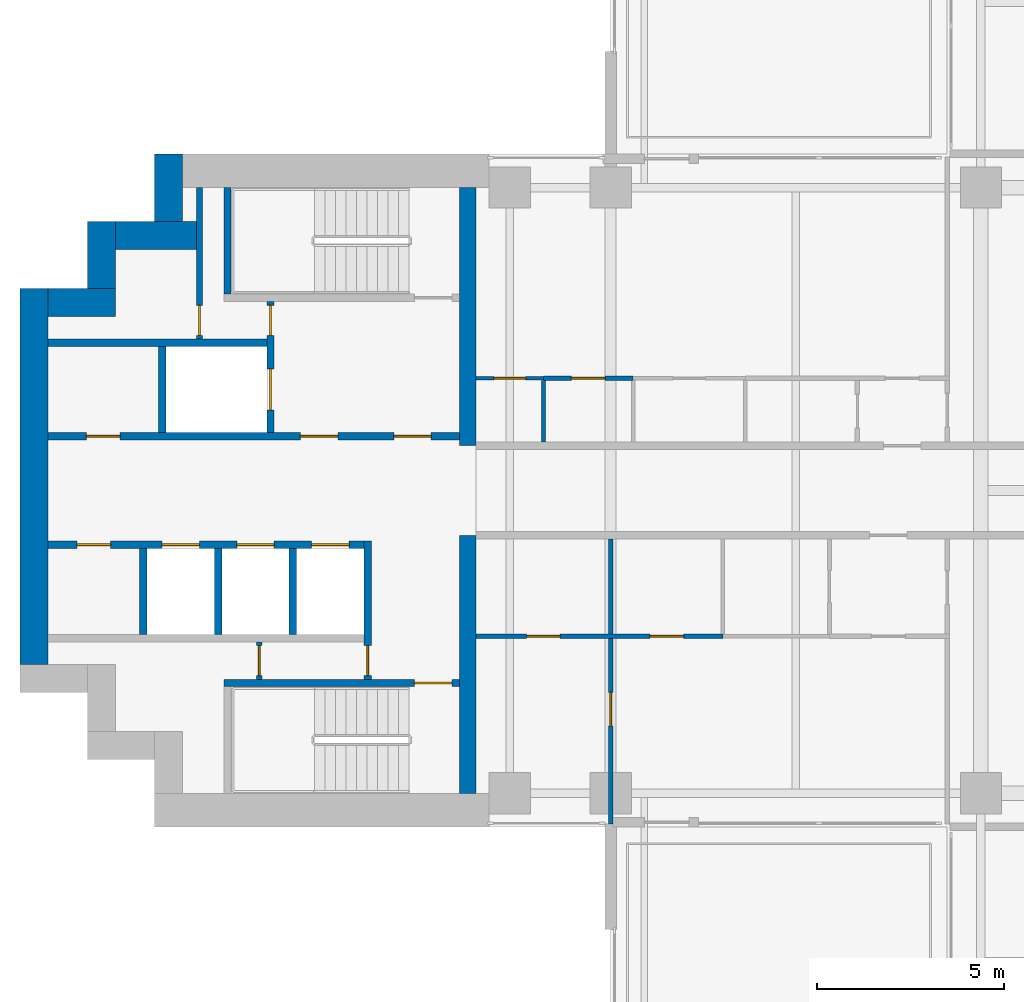
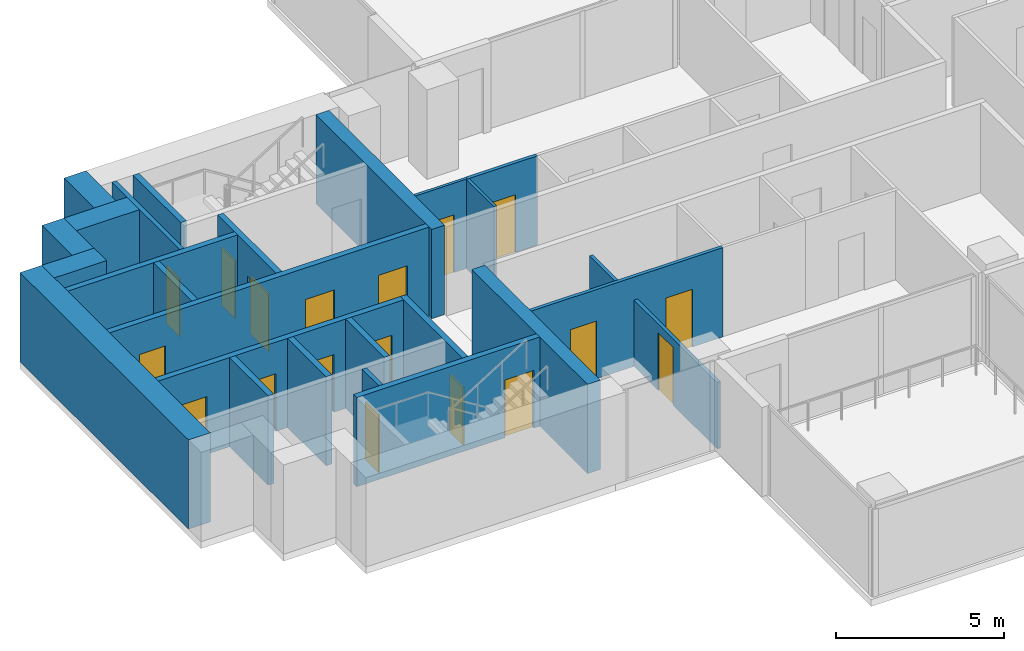
# One storey, part 9 of 18: 25 walls, 18 doors, 18 openings.
"""IFC4 building model written with IfcOpenShell, lengths in metres."""

from ifc_helpers import new_model, si_unit, direction, frame, frame_2d, origin, place, context, subcontext, project, spatial, rectangle, extrude, material, layer, layer_set, type_object, element, fill, save


model = new_model("IFC4")

# Units and contexts
model_context = context("Model", 3, precision=1e-05, world=origin(), true_north=direction((0.0, 1.0)))
body_context = subcontext(model_context, "Body", "Model", "MODEL_VIEW")
ifc_project = project(units=[si_unit("LENGTHUNIT", "METRE"), si_unit("AREAUNIT", "SQUARE_METRE"), si_unit("VOLUMEUNIT", "CUBIC_METRE"), si_unit("PLANEANGLEUNIT", "RADIAN"), si_unit("MASSUNIT", "GRAM", prefix="KILO")], contexts=[model_context])

# Site, building, storey
site_placement = place(None, origin())
site = spatial("IfcSite", under=ifc_project, at=site_placement, CompositionType="ELEMENT")
building_placement = place(site_placement, origin())
building = spatial("IfcBuilding", under=site, at=building_placement, Name="Perihelion Cross Residences", CompositionType="ELEMENT")
storey_placement = place(building_placement, frame((0.0, 0.0, 123.39990234375)))
storey = spatial("IfcBuildingStorey", under=building, at=storey_placement, Name="L29", CompositionType="ELEMENT", Elevation=123.39990234375)

# Walls
ifc_material_1 = material(Name="Concrete C60/75", Category="concrete")
ifc_layer_1 = layer(ifc_material_1, 0.449951171875)
ifc_layer_set_1 = layer_set([ifc_layer_1], Name="Core wall, inner 450")
wall_type_1 = type_object("IfcWallType", Name="Core wall, inner 450", PredefinedType="SHEAR", material=ifc_layer_set_1)
for number, where, z_axis, x_axis, name in (
    (1, (-21.824951171875, -8.10009765625, 0.0), (0.0, 0.0, 1.0), (0.0, 1.0, 0.0), "West core core wall, inner"),
    (2, (-21.824951171875, 1.199951171875, 0.0), (0.0, 0.0, 1.0), (0.0, 1.0, 0.0), "West core core wall, inner"),
):
    element("IfcWall", number, at=place(storey_placement, frame(where, z_axis=z_axis, x_axis=x_axis)), inside=storey, type_object=wall_type_1, Name=name, PredefinedType="SHEAR", context=body_context, shape_type="SweptSolid", body=[
        extrude(rectangle(XDim=6.900146484375, YDim=0.449951171875, at=frame_2d((3.4501953125, 0.0))), origin(), (0.0, 0.0, 1.0), 3.25),
    ])
ifc_material_2 = material(Name="Concrete C60/75", Category="concrete")
ifc_layer_2 = layer(ifc_material_2, 0.75)
ifc_layer_set_2 = layer_set([ifc_layer_2], Name="Core wall, outer 750")
wall_type_2 = type_object("IfcWallType", Name="Core wall, outer 750", PredefinedType="SHEAR", material=ifc_layer_set_2)
wall_1_placement = place(storey_placement, frame((-33.425048828125, -4.64990234375, 0.0), z_axis=(0.0, 0.0, 1.0), x_axis=(0.0, 1.0, 0.0)))
element("IfcWall", 3, at=wall_1_placement, inside=storey, type_object=wall_type_2, Name="West core core wall, outer", PredefinedType="SHEAR", context=body_context, shape_type="SweptSolid", body=[
    extrude(rectangle(XDim=10.0498046875, YDim=0.75, at=frame_2d((5.02490234375, 0.0))), origin(), (0.0, 0.0, 1.0), 3.25),
])
for number, where, z_axis, x_axis, name in (
    (4, (-33.050048828125, 5.02490234375, 0.0), (0.0, 0.0, 1.0), (1.0, 0.0, 0.0), "West core core wall, outer"),
    (5, (-31.625, 5.39990234375, 0.0), (0.0, 0.0, 1.0), (0.0, 1.0, 0.0), "West core core wall, outer"),
):
    element("IfcWall", number, at=place(storey_placement, frame(where, z_axis=z_axis, x_axis=x_axis)), inside=storey, type_object=wall_type_2, Name=name, PredefinedType="SHEAR", context=body_context, shape_type="SweptSolid", body=[
        extrude(rectangle(XDim=1.800048828125, YDim=0.75, at=frame_2d((0.89990234375, 0.0))), origin(), (0.0, 0.0, 1.0), 3.25),
    ])
wall_2_placement = place(storey_placement, frame((-31.25, 6.824951171875, 0.0), z_axis=(0.0, 0.0, 1.0), x_axis=(1.0, 0.0, 0.0)))
element("IfcWall", 6, at=wall_2_placement, inside=storey, type_object=wall_type_2, Name="West core core wall, outer", PredefinedType="SHEAR", context=body_context, shape_type="SweptSolid", body=[
    extrude(rectangle(XDim=2.175048828125, YDim=0.75, at=frame_2d((1.08740234375, 0.0))), origin(), (0.0, 0.0, 1.0), 3.25),
])
wall_3_placement = place(storey_placement, frame((-29.824951171875, 7.199951171875, 0.0), z_axis=(0.0, 0.0, 1.0), x_axis=(0.0, 1.0, 0.0)))
element("IfcWall", 7, at=wall_3_placement, inside=storey, type_object=wall_type_2, Name="West core core wall, outer", PredefinedType="SHEAR", context=body_context, shape_type="SweptSolid", body=[
    extrude(rectangle(XDim=1.800048828125, YDim=0.75, at=frame_2d((0.89990234375, 0.0))), origin(), (0.0, 0.0, 1.0), 3.25),
])

# Wall, opening, door
ifc_material_3 = material(Name="Concrete C50/60", Category="concrete")
ifc_layer_3 = layer(ifc_material_3, 0.199951171875)
ifc_layer_set_3 = layer_set([ifc_layer_3], Name="Lobby wall 200")
wall_type_3 = type_object("IfcWallType", Name="Lobby wall 200", PredefinedType="SOLIDWALL", material=ifc_layer_set_3)
wall_4_placement = place(storey_placement, frame((-24.5, -5.050048828125, 0.0), z_axis=(0.0, 0.0, 1.0), x_axis=(0.0, 1.0, 0.0)))
wall_4 = element("IfcWall", 8, at=wall_4_placement, inside=storey, type_object=wall_type_3, Name="West core lobby wall", PredefinedType="SOLIDWALL", context=body_context, shape_type="SweptSolid", body=[
    extrude(rectangle(XDim=3.699951171875, YDim=0.199951171875, at=frame_2d((1.85009765625, 0.0))), origin(), (0.0, 0.0, 1.0), 3.25),
])
opening_1_placement = place(wall_4_placement, frame((0.10009765625, 0.0, 0.0)))
opening_1 = element("IfcOpeningElement", 9, at=opening_1_placement, cuts=wall_4, Name="Opening L29.C22", PredefinedType="OPENING", context=body_context, shape_type="SweptSolid", body=[
    extrude(rectangle(XDim=0.800048828125, YDim=2.10009765625, at=frame_2d((0.39990234375, 1.050048828125))), frame((0.0, 0.10986328125, 0.0), z_axis=(0.0, -1.0, 0.0), x_axis=(1.0, 0.0, 0.0)), (0.0, 0.0, 1.0), 0.219970703125),
])
ifc_material_4 = material(Name="Steel, powder coated", Category="steel")
door_type_1 = type_object("IfcDoorType", Name="Riser door 800", OperationType="SINGLE_SWING_LEFT", PredefinedType="DOOR", material=ifc_material_4)
door_1_placement = place(opening_1_placement, origin())
door_1 = element("IfcDoor", 10, at=door_1_placement, inside=storey, type_object=door_type_1, Name="West core riser door", OperationType="SINGLE_SWING_LEFT", OverallHeight=2.10009765625, OverallWidth=0.800048828125, PredefinedType="DOOR", context=body_context, shape_type="SweptSolid", body=[
    extrude(rectangle(XDim=0.800048828125, YDim=2.10009765625, at=frame_2d((0.39990234375, 1.050048828125))), frame((0.0, 0.02490234375, 0.0), z_axis=(0.0, -1.0, 0.0), x_axis=(1.0, 0.0, 0.0)), (0.0, 0.0, 1.0), 0.050048828125),
])
fill(opening_1, door_1)

ifc_material_5 = material(Name="Plasterboard partition")
ifc_layer_4 = layer(ifc_material_5, 0.1201171875)
ifc_layer_set_4 = layer_set([ifc_layer_4], Name="Partition wall 120")
wall_type_4 = type_object("IfcWallType", Name="Partition wall 120", PredefinedType="PARTITIONING", material=ifc_layer_set_4)
wall_5_placement = place(storey_placement, frame((-19.800048828125, 3.0, 0.0), z_axis=(0.0, 0.0, 1.0), x_axis=(1.0, 0.0, 0.0)))
wall_5 = element("IfcWall", 11, at=wall_5_placement, inside=storey, type_object=wall_type_4, Name="Partition L29 W048", PredefinedType="PARTITIONING", context=body_context, shape_type="SweptSolid", body=[
    extrude(rectangle(XDim=2.400146484375, YDim=0.1201171875, at=frame_2d((1.2001953125, 0.0))), origin(), (0.0, 0.0, 1.0), 3.25),
])
opening_2_placement = place(wall_5_placement, frame((0.75, 0.0, 0.0)))
opening_2 = element("IfcOpeningElement", 12, at=opening_2_placement, cuts=wall_5, Name="Opening L29.A24", PredefinedType="OPENING", context=body_context, shape_type="SweptSolid", body=[
    extrude(rectangle(XDim=0.89990234375, YDim=2.10009765625, at=frame_2d((0.449951171875, 1.050048828125))), frame((0.0, 0.070068359375, 0.0), z_axis=(0.0, -1.0, 0.0), x_axis=(1.0, 0.0, 0.0)), (0.0, 0.0, 1.0), 0.14013671875),
])
ifc_material_6 = material(Name="Timber door leaf", Category="wood")
door_type_2 = type_object("IfcDoorType", Name="Interior room door 900 x 2100", OperationType="SINGLE_SWING_LEFT", PredefinedType="DOOR", material=ifc_material_6)
door_2_placement = place(opening_2_placement, origin())
door_2 = element("IfcDoor", 13, at=door_2_placement, inside=storey, type_object=door_type_2, Name="Door L29.A24", OperationType="SINGLE_SWING_LEFT", OverallHeight=2.10009765625, OverallWidth=0.89990234375, PredefinedType="DOOR", context=body_context, shape_type="SweptSolid", body=[
    extrude(rectangle(XDim=0.89990234375, YDim=2.10009765625, at=frame_2d((0.449951171875, 1.050048828125))), frame((0.0, 0.02490234375, 0.0), z_axis=(0.0, -1.0, 0.0), x_axis=(1.0, 0.0, 0.0)), (0.0, 0.0, 1.0), 0.050048828125),
])
fill(opening_2, door_2)

wall_6_placement = place(storey_placement, frame((-18.0, -8.919921875, 0.0), z_axis=(0.0, 0.0, 1.0), x_axis=(0.0, 1.0, 0.0)))
wall_6 = element("IfcWall", 14, at=wall_6_placement, inside=storey, type_object=wall_type_4, Name="Partition L29 W058", PredefinedType="PARTITIONING", context=body_context, shape_type="SweptSolid", body=[
    extrude(rectangle(XDim=7.619873046875, YDim=0.1201171875, at=frame_2d((3.81005859375, 0.0))), origin(), (0.0, 0.0, 1.0), 2.4140625),
])
opening_3_placement = place(wall_6_placement, frame((2.6201171875, 0.0, 0.0)))
opening_3 = element("IfcOpeningElement", 15, at=opening_3_placement, cuts=wall_6, Name="Opening L29.A29", PredefinedType="OPENING", context=body_context, shape_type="SweptSolid", body=[
    extrude(rectangle(XDim=0.89990234375, YDim=2.10009765625, at=frame_2d((0.449951171875, 1.050048828125))), frame((0.0, 0.070068359375, 0.0), z_axis=(0.0, -1.0, 0.0), x_axis=(1.0, 0.0, 0.0)), (0.0, 0.0, 1.0), 0.14013671875),
])
door_3_placement = place(opening_3_placement, origin())
door_3 = element("IfcDoor", 16, at=door_3_placement, inside=storey, type_object=door_type_2, Name="Door L29.A29", OperationType="SINGLE_SWING_RIGHT", OverallHeight=2.10009765625, OverallWidth=0.89990234375, PredefinedType="DOOR", context=body_context, shape_type="SweptSolid", body=[
    extrude(rectangle(XDim=0.89990234375, YDim=2.10009765625, at=frame_2d((0.449951171875, 1.050048828125))), frame((0.0, 0.02490234375, 0.0), z_axis=(0.0, -1.0, 0.0), x_axis=(1.0, 0.0, 0.0)), (0.0, 0.0, 1.0), 0.050048828125),
])
fill(opening_3, door_3)

# Wall, openings, doors
wall_7_placement = place(storey_placement, frame((-15.0, -3.89990234375, 0.0), z_axis=(0.0, 0.0, 1.0), x_axis=(-1.0, 0.0, 0.0)))
wall_7 = element("IfcWall", 17, at=wall_7_placement, inside=storey, type_object=wall_type_4, Name="Partition L29 W059", PredefinedType="PARTITIONING", context=body_context, shape_type="SweptSolid", body=[
    extrude(rectangle(XDim=6.60009765625, YDim=0.1201171875, at=frame_2d((3.300048828125, 0.0))), origin(), (0.0, 0.0, 1.0), 3.25),
])
opening_4_placement = place(wall_7_placement, frame((1.050048828125, 0.0, 0.0)))
opening_4 = element("IfcOpeningElement", 18, at=opening_4_placement, cuts=wall_7, Name="Opening L29.A26", PredefinedType="OPENING", context=body_context, shape_type="SweptSolid", body=[
    extrude(rectangle(XDim=0.89990234375, YDim=2.10009765625, at=frame_2d((0.449951171875, 1.050048828125))), frame((0.0, 0.070068359375, 0.0), z_axis=(0.0, -1.0, 0.0), x_axis=(1.0, 0.0, 0.0)), (0.0, 0.0, 1.0), 0.14013671875),
])
opening_5_placement = place(wall_7_placement, frame((4.35009765625, 0.0, 0.0)))
opening_5 = element("IfcOpeningElement", 19, at=opening_5_placement, cuts=wall_7, Name="Opening L29.A30", PredefinedType="OPENING", context=body_context, shape_type="SweptSolid", body=[
    extrude(rectangle(XDim=0.89990234375, YDim=2.10009765625, at=frame_2d((0.449951171875, 1.050048828125))), frame((0.0, 0.070068359375, 0.0), z_axis=(0.0, -1.0, 0.0), x_axis=(1.0, 0.0, 0.0)), (0.0, 0.0, 1.0), 0.14013671875),
])
door_4_placement = place(opening_4_placement, origin())
door_4 = element("IfcDoor", 20, at=door_4_placement, inside=storey, type_object=door_type_2, Name="Door L29.A26", OperationType="SINGLE_SWING_LEFT", OverallHeight=2.10009765625, OverallWidth=0.89990234375, PredefinedType="DOOR", context=body_context, shape_type="SweptSolid", body=[
    extrude(rectangle(XDim=0.89990234375, YDim=2.10009765625, at=frame_2d((0.449951171875, 1.050048828125))), frame((0.0, 0.02490234375, 0.0), z_axis=(0.0, -1.0, 0.0), x_axis=(1.0, 0.0, 0.0)), (0.0, 0.0, 1.0), 0.050048828125),
])
fill(opening_4, door_4)
door_5_placement = place(opening_5_placement, origin())
door_5 = element("IfcDoor", 21, at=door_5_placement, inside=storey, type_object=door_type_2, Name="Door L29.A30", OperationType="SINGLE_SWING_LEFT", OverallHeight=2.10009765625, OverallWidth=0.89990234375, PredefinedType="DOOR", context=body_context, shape_type="SweptSolid", body=[
    extrude(rectangle(XDim=0.89990234375, YDim=2.10009765625, at=frame_2d((0.449951171875, 1.050048828125))), frame((0.0, 0.02490234375, 0.0), z_axis=(0.0, -1.0, 0.0), x_axis=(1.0, 0.0, 0.0)), (0.0, 0.0, 1.0), 0.050048828125),
])
fill(opening_5, door_5)

# Wall, opening, door
ifc_material_7 = material(Name="Fire-rated board on steel stud", Category="steel")
ifc_layer_5 = layer(ifc_material_7, 0.14990234375)
ifc_layer_set_5 = layer_set([ifc_layer_5], Name="Riser wall 150")
wall_type_5 = type_object("IfcWallType", Name="Riser wall 150", PredefinedType="PARTITIONING", material=ifc_layer_set_5)
wall_8_placement = place(storey_placement, frame((-29.0, 4.050048828125, 0.0), z_axis=(0.0, 0.0, 1.0), x_axis=(0.0, 1.0, 0.0)))
wall_8 = element("IfcWall", 22, at=wall_8_placement, inside=storey, type_object=wall_type_5, Name="West core riser wall", PredefinedType="PARTITIONING", context=body_context, shape_type="SweptSolid", body=[
    extrude(rectangle(XDim=4.050048828125, YDim=0.14990234375, at=frame_2d((2.02490234375, 0.0))), origin(), (0.0, 0.0, 1.0), 3.25),
])
opening_6_placement = place(wall_8_placement, frame((0.10009765625, 0.0, 0.0)))
opening_6 = element("IfcOpeningElement", 23, at=opening_6_placement, cuts=wall_8, Name="Opening L29.C26", PredefinedType="OPENING", context=body_context, shape_type="SweptSolid", body=[
    extrude(rectangle(XDim=0.800048828125, YDim=2.10009765625, at=frame_2d((0.39990234375, 1.050048828125))), frame((0.0, 0.0849609375, 0.0), z_axis=(0.0, -1.0, 0.0), x_axis=(1.0, 0.0, 0.0)), (0.0, 0.0, 1.0), 0.169921875),
])
door_6_placement = place(opening_6_placement, origin())
door_6 = element("IfcDoor", 24, at=door_6_placement, inside=storey, type_object=door_type_1, Name="West core riser door", OperationType="SINGLE_SWING_LEFT", OverallHeight=2.10009765625, OverallWidth=0.800048828125, PredefinedType="DOOR", context=body_context, shape_type="SweptSolid", body=[
    extrude(rectangle(XDim=0.800048828125, YDim=2.10009765625, at=frame_2d((0.39990234375, 1.050048828125))), frame((0.0, 0.02490234375, 0.0), z_axis=(0.0, -1.0, 0.0), x_axis=(1.0, 0.0, 0.0)), (0.0, 0.0, 1.0), 0.050048828125),
])
fill(opening_6, door_6)

wall_9_placement = place(storey_placement, frame((-27.39990234375, -5.050048828125, 0.0), z_axis=(0.0, 0.0, 1.0), x_axis=(0.0, 1.0, 0.0)))
wall_9 = element("IfcWall", 25, at=wall_9_placement, inside=storey, type_object=wall_type_5, Name="West core riser wall", PredefinedType="PARTITIONING", context=body_context, shape_type="SweptSolid", body=[
    extrude(rectangle(XDim=1.0, YDim=0.14990234375, at=frame_2d((0.5, 0.0))), origin(), (0.0, 0.0, 1.0), 3.25),
])
opening_7_placement = place(wall_9_placement, frame((0.10009765625, 0.0, 0.0)))
opening_7 = element("IfcOpeningElement", 26, at=opening_7_placement, cuts=wall_9, Name="Opening L29.C25", PredefinedType="OPENING", context=body_context, shape_type="SweptSolid", body=[
    extrude(rectangle(XDim=0.800048828125, YDim=2.10009765625, at=frame_2d((0.39990234375, 1.050048828125))), frame((0.0, 0.0849609375, 0.0), z_axis=(0.0, -1.0, 0.0), x_axis=(1.0, 0.0, 0.0)), (0.0, 0.0, 1.0), 0.169921875),
])
door_7_placement = place(opening_7_placement, origin())
door_7 = element("IfcDoor", 27, at=door_7_placement, inside=storey, type_object=door_type_1, Name="West core riser door", OperationType="SINGLE_SWING_LEFT", OverallHeight=2.10009765625, OverallWidth=0.800048828125, PredefinedType="DOOR", context=body_context, shape_type="SweptSolid", body=[
    extrude(rectangle(XDim=0.800048828125, YDim=2.10009765625, at=frame_2d((0.39990234375, 1.050048828125))), frame((0.0, 0.02490234375, 0.0), z_axis=(0.0, -1.0, 0.0), x_axis=(1.0, 0.0, 0.0)), (0.0, 0.0, 1.0), 0.050048828125),
])
fill(opening_7, door_7)

# Wall, openings, doors
ifc_material_8 = material(Name="Concrete C50/60", Category="concrete")
ifc_layer_6 = layer(ifc_material_8, 0.199951171875)
ifc_layer_set_6 = layer_set([ifc_layer_6], Name="Shaft wall 200")
wall_type_6 = type_object("IfcWallType", Name="Shaft wall 200", PredefinedType="SOLIDWALL", material=ifc_layer_set_6)
wall_10_placement = place(storey_placement, frame((-33.050048828125, 1.449951171875, 0.0), z_axis=(0.0, 0.0, 1.0), x_axis=(1.0, 0.0, 0.0)))
wall_10 = element("IfcWall", 28, at=wall_10_placement, inside=storey, type_object=wall_type_6, Name="West core shaft wall", PredefinedType="SOLIDWALL", context=body_context, shape_type="SweptSolid", body=[
    extrude(rectangle(XDim=11.0, YDim=0.199951171875, at=frame_2d((5.5, 0.0))), origin(), (0.0, 0.0, 1.0), 3.25),
])
opening_8_placement = place(wall_10_placement, frame((9.25, 0.0, 0.0)))
opening_8 = element("IfcOpeningElement", 29, at=opening_8_placement, cuts=wall_10, Name="Opening L29.C21", PredefinedType="OPENING", context=body_context, shape_type="SweptSolid", body=[
    extrude(rectangle(XDim=1.0, YDim=2.10009765625, at=frame_2d((0.5, 1.050048828125))), frame((0.0, 0.10986328125, 0.0), z_axis=(0.0, -1.0, 0.0), x_axis=(1.0, 0.0, 0.0)), (0.0, 0.0, 1.0), 0.219970703125),
])
opening_9_placement = place(wall_10_placement, frame((6.75, 0.0, 0.0)))
opening_9 = element("IfcOpeningElement", 30, at=opening_9_placement, cuts=wall_10, Name="Opening L29.C23", PredefinedType="OPENING", context=body_context, shape_type="SweptSolid", body=[
    extrude(rectangle(XDim=1.0, YDim=2.10009765625, at=frame_2d((0.5, 1.050048828125))), frame((0.0, 0.10986328125, 0.0), z_axis=(0.0, -1.0, 0.0), x_axis=(1.0, 0.0, 0.0)), (0.0, 0.0, 1.0), 0.219970703125),
])
opening_10_placement = place(wall_10_placement, frame((1.02490234375, 0.0, 0.0)))
opening_10 = element("IfcOpeningElement", 31, at=opening_10_placement, cuts=wall_10, Name="Opening L29.C27", PredefinedType="OPENING", context=body_context, shape_type="SweptSolid", body=[
    extrude(rectangle(XDim=0.89990234375, YDim=2.10009765625, at=frame_2d((0.449951171875, 1.050048828125))), frame((0.0, 0.10986328125, 0.0), z_axis=(0.0, -1.0, 0.0), x_axis=(1.0, 0.0, 0.0)), (0.0, 0.0, 1.0), 0.219970703125),
])
ifc_material_9 = material(Name="Steel, powder coated", Category="steel")
door_type_3 = type_object("IfcDoorType", Name="Lobby door 1000", OperationType="SINGLE_SWING_LEFT", PredefinedType="DOOR", material=ifc_material_9)
door_8_placement = place(opening_8_placement, origin())
door_8 = element("IfcDoor", 32, at=door_8_placement, inside=storey, type_object=door_type_3, Name="West core firefighting lobby door", OperationType="SINGLE_SWING_LEFT", OverallHeight=2.10009765625, OverallWidth=1.0, PredefinedType="DOOR", context=body_context, shape_type="SweptSolid", body=[
    extrude(rectangle(XDim=1.0, YDim=2.10009765625, at=frame_2d((0.5, 1.050048828125))), frame((0.0, 0.02490234375, 0.0), z_axis=(0.0, -1.0, 0.0), x_axis=(1.0, 0.0, 0.0)), (0.0, 0.0, 1.0), 0.050048828125),
])
fill(opening_8, door_8)
door_9_placement = place(opening_9_placement, origin())
door_9 = element("IfcDoor", 33, at=door_9_placement, inside=storey, type_object=door_type_3, Name="West core firefighting lobby door", OperationType="SINGLE_SWING_LEFT", OverallHeight=2.10009765625, OverallWidth=1.0, PredefinedType="DOOR", context=body_context, shape_type="SweptSolid", body=[
    extrude(rectangle(XDim=1.0, YDim=2.10009765625, at=frame_2d((0.5, 1.050048828125))), frame((0.0, 0.02490234375, 0.0), z_axis=(0.0, -1.0, 0.0), x_axis=(1.0, 0.0, 0.0)), (0.0, 0.0, 1.0), 0.050048828125),
])
fill(opening_9, door_9)
ifc_material_10 = material(Name="Steel, powder coated", Category="steel")
door_type_4 = type_object("IfcDoorType", Name="Service room door 900", OperationType="SINGLE_SWING_LEFT", PredefinedType="DOOR", material=ifc_material_10)
door_10_placement = place(opening_10_placement, origin())
door_10 = element("IfcDoor", 34, at=door_10_placement, inside=storey, type_object=door_type_4, Name="West core service room door", OperationType="SINGLE_SWING_LEFT", OverallHeight=2.10009765625, OverallWidth=0.89990234375, PredefinedType="DOOR", context=body_context, shape_type="SweptSolid", body=[
    extrude(rectangle(XDim=0.89990234375, YDim=2.10009765625, at=frame_2d((0.449951171875, 1.050048828125))), frame((0.0, 0.02490234375, 0.0), z_axis=(0.0, -1.0, 0.0), x_axis=(1.0, 0.0, 0.0)), (0.0, 0.0, 1.0), 0.050048828125),
])
fill(opening_10, door_10)

wall_11_placement = place(storey_placement, frame((-33.050048828125, -1.449951171875, 0.0), z_axis=(0.0, 0.0, 1.0), x_axis=(1.0, 0.0, 0.0)))
wall_11 = element("IfcWall", 35, at=wall_11_placement, inside=storey, type_object=wall_type_6, Name="West core shaft wall", PredefinedType="SOLIDWALL", context=body_context, shape_type="SweptSolid", body=[
    extrude(rectangle(XDim=8.449951171875, YDim=0.199951171875, at=frame_2d((4.22509765625, 0.0))), origin(), (0.0, 0.0, 1.0), 3.25),
])
opening_11_placement = place(wall_11_placement, frame((7.050048828125, 0.0, 0.0)))
opening_11 = element("IfcOpeningElement", 36, at=opening_11_placement, cuts=wall_11, Name="Opening L29.C15", PredefinedType="OPENING", context=body_context, shape_type="SweptSolid", body=[
    extrude(rectangle(XDim=1.0, YDim=2.10009765625, at=frame_2d((0.5, 1.050048828125))), frame((0.0, 0.10986328125, 0.0), z_axis=(0.0, -1.0, 0.0), x_axis=(1.0, 0.0, 0.0)), (0.0, 0.0, 1.0), 0.219970703125),
])
opening_12_placement = place(wall_11_placement, frame((5.050048828125, 0.0, 0.0)))
opening_12 = element("IfcOpeningElement", 37, at=opening_12_placement, cuts=wall_11, Name="Opening L29.C17", PredefinedType="OPENING", context=body_context, shape_type="SweptSolid", body=[
    extrude(rectangle(XDim=1.0, YDim=2.10009765625, at=frame_2d((0.5, 1.050048828125))), frame((0.0, 0.10986328125, 0.0), z_axis=(0.0, -1.0, 0.0), x_axis=(1.0, 0.0, 0.0)), (0.0, 0.0, 1.0), 0.219970703125),
])
opening_13_placement = place(wall_11_placement, frame((3.050048828125, 0.0, 0.0)))
opening_13 = element("IfcOpeningElement", 38, at=opening_13_placement, cuts=wall_11, Name="Opening L29.C18", PredefinedType="OPENING", context=body_context, shape_type="SweptSolid", body=[
    extrude(rectangle(XDim=1.0, YDim=2.10009765625, at=frame_2d((0.5, 1.050048828125))), frame((0.0, 0.10986328125, 0.0), z_axis=(0.0, -1.0, 0.0), x_axis=(1.0, 0.0, 0.0)), (0.0, 0.0, 1.0), 0.219970703125),
])
opening_14_placement = place(wall_11_placement, frame((0.77490234375, 0.0, 0.0)))
opening_14 = element("IfcOpeningElement", 39, at=opening_14_placement, cuts=wall_11, Name="Opening L29.C28", PredefinedType="OPENING", context=body_context, shape_type="SweptSolid", body=[
    extrude(rectangle(XDim=0.89990234375, YDim=2.10009765625, at=frame_2d((0.449951171875, 1.050048828125))), frame((0.0, 0.10986328125, 0.0), z_axis=(0.0, -1.0, 0.0), x_axis=(1.0, 0.0, 0.0)), (0.0, 0.0, 1.0), 0.219970703125),
])
ifc_material_11 = material(Name="Stainless steel", Category="steel")
door_type_5 = type_object("IfcDoorType", Name="Landing door 1000", OperationType="DOUBLE_DOOR_SLIDING", PredefinedType="DOOR", material=ifc_material_11)
door_11_placement = place(opening_11_placement, origin())
door_11 = element("IfcDoor", 40, at=door_11_placement, inside=storey, type_object=door_type_5, Name="Landing door, West core high-rise lift 1", OperationType="DOUBLE_DOOR_SLIDING", OverallHeight=2.10009765625, OverallWidth=1.0, PredefinedType="DOOR", context=body_context, shape_type="SweptSolid", body=[
    extrude(rectangle(XDim=1.0, YDim=2.10009765625, at=frame_2d((0.5, 1.050048828125))), frame((0.0, 0.02490234375, 0.0), z_axis=(0.0, -1.0, 0.0), x_axis=(1.0, 0.0, 0.0)), (0.0, 0.0, 1.0), 0.050048828125),
])
fill(opening_11, door_11)
door_12_placement = place(opening_12_placement, origin())
door_12 = element("IfcDoor", 41, at=door_12_placement, inside=storey, type_object=door_type_5, Name="Landing door, West core high-rise lift 2", OperationType="DOUBLE_DOOR_SLIDING", OverallHeight=2.10009765625, OverallWidth=1.0, PredefinedType="DOOR", context=body_context, shape_type="SweptSolid", body=[
    extrude(rectangle(XDim=1.0, YDim=2.10009765625, at=frame_2d((0.5, 1.050048828125))), frame((0.0, 0.02490234375, 0.0), z_axis=(0.0, -1.0, 0.0), x_axis=(1.0, 0.0, 0.0)), (0.0, 0.0, 1.0), 0.050048828125),
])
fill(opening_12, door_12)
door_13_placement = place(opening_13_placement, origin())
door_13 = element("IfcDoor", 42, at=door_13_placement, inside=storey, type_object=door_type_5, Name="Landing door, West core high-rise lift 3", OperationType="DOUBLE_DOOR_SLIDING", OverallHeight=2.10009765625, OverallWidth=1.0, PredefinedType="DOOR", context=body_context, shape_type="SweptSolid", body=[
    extrude(rectangle(XDim=1.0, YDim=2.10009765625, at=frame_2d((0.5, 1.050048828125))), frame((0.0, 0.02490234375, 0.0), z_axis=(0.0, -1.0, 0.0), x_axis=(1.0, 0.0, 0.0)), (0.0, 0.0, 1.0), 0.050048828125),
])
fill(opening_13, door_13)
door_14_placement = place(opening_14_placement, origin())
door_14 = element("IfcDoor", 43, at=door_14_placement, inside=storey, type_object=door_type_4, Name="West core service room door", OperationType="SINGLE_SWING_LEFT", OverallHeight=2.10009765625, OverallWidth=0.89990234375, PredefinedType="DOOR", context=body_context, shape_type="SweptSolid", body=[
    extrude(rectangle(XDim=0.89990234375, YDim=2.10009765625, at=frame_2d((0.449951171875, 1.050048828125))), frame((0.0, 0.02490234375, 0.0), z_axis=(0.0, -1.0, 0.0), x_axis=(1.0, 0.0, 0.0)), (0.0, 0.0, 1.0), 0.050048828125),
])
fill(opening_14, door_14)

# Wall
wall_12_placement = place(storey_placement, frame((-33.050048828125, 3.949951171875, 0.0), z_axis=(0.0, 0.0, 1.0), x_axis=(1.0, 0.0, 0.0)))
element("IfcWall", 44, at=wall_12_placement, inside=storey, type_object=wall_type_6, Name="West core shaft wall", PredefinedType="SOLIDWALL", context=body_context, shape_type="SweptSolid", body=[
    extrude(rectangle(XDim=5.85009765625, YDim=0.199951171875, at=frame_2d((2.925048828125, 0.0))), origin(), (0.0, 0.0, 1.0), 3.25),
])

# Wall, openings, doors
wall_13_placement = place(storey_placement, frame((-27.10009765625, 1.550048828125, 0.0), z_axis=(0.0, 0.0, 1.0), x_axis=(0.0, 1.0, 0.0)))
wall_13 = element("IfcWall", 45, at=wall_13_placement, inside=storey, type_object=wall_type_6, Name="West core shaft wall", PredefinedType="SOLIDWALL", context=body_context, shape_type="SweptSolid", body=[
    extrude(rectangle(XDim=3.5, YDim=0.199951171875, at=frame_2d((1.75, 0.0))), origin(), (0.0, 0.0, 1.0), 3.25),
])
opening_15_placement = place(wall_13_placement, frame((0.60009765625, 0.0, 0.0)))
opening_15 = element("IfcOpeningElement", 46, at=opening_15_placement, cuts=wall_13, Name="Opening L29.C16", PredefinedType="OPENING", context=body_context, shape_type="SweptSolid", body=[
    extrude(rectangle(XDim=1.10009765625, YDim=2.10009765625, at=frame_2d((0.550048828125, 1.050048828125))), frame((0.0, 0.10986328125, 0.0), z_axis=(0.0, -1.0, 0.0), x_axis=(1.0, 0.0, 0.0)), (0.0, 0.0, 1.0), 0.219970703125),
])
opening_16_placement = place(wall_13_placement, frame((2.60009765625, 0.0, 0.0)))
opening_16 = element("IfcOpeningElement", 47, at=opening_16_placement, cuts=wall_13, Name="Opening L29.C24", PredefinedType="OPENING", context=body_context, shape_type="SweptSolid", body=[
    extrude(rectangle(XDim=0.800048828125, YDim=2.10009765625, at=frame_2d((0.39990234375, 1.050048828125))), frame((0.0, 0.10986328125, 0.0), z_axis=(0.0, -1.0, 0.0), x_axis=(1.0, 0.0, 0.0)), (0.0, 0.0, 1.0), 0.219970703125),
])
ifc_material_12 = material(Name="Stainless steel", Category="steel")
door_type_6 = type_object("IfcDoorType", Name="Landing door, firefighting lift 1100", OperationType="DOUBLE_DOOR_SLIDING", PredefinedType="DOOR", material=ifc_material_12)
door_15_placement = place(opening_15_placement, origin())
door_15 = element("IfcDoor", 48, at=door_15_placement, inside=storey, type_object=door_type_6, Name="Landing door, West core firefighting and service lift", OperationType="DOUBLE_DOOR_SLIDING", OverallHeight=2.10009765625, OverallWidth=1.10009765625, PredefinedType="DOOR", context=body_context, shape_type="SweptSolid", body=[
    extrude(rectangle(XDim=1.10009765625, YDim=2.10009765625, at=frame_2d((0.550048828125, 1.050048828125))), frame((0.0, 0.02490234375, 0.0), z_axis=(0.0, -1.0, 0.0), x_axis=(1.0, 0.0, 0.0)), (0.0, 0.0, 1.0), 0.050048828125),
])
fill(opening_15, door_15)
door_16_placement = place(opening_16_placement, origin())
door_16 = element("IfcDoor", 49, at=door_16_placement, inside=storey, type_object=door_type_1, Name="West core riser door", OperationType="SINGLE_SWING_LEFT", OverallHeight=2.10009765625, OverallWidth=0.800048828125, PredefinedType="DOOR", context=body_context, shape_type="SweptSolid", body=[
    extrude(rectangle(XDim=0.800048828125, YDim=2.10009765625, at=frame_2d((0.39990234375, 1.050048828125))), frame((0.0, 0.02490234375, 0.0), z_axis=(0.0, -1.0, 0.0), x_axis=(1.0, 0.0, 0.0)), (0.0, 0.0, 1.0), 0.050048828125),
])
fill(opening_16, door_16)

# Walls
for number, where, z_axis, x_axis, name in (
    (50, (-30.0, 1.550048828125, 0.0), (0.0, 0.0, 1.0), (0.0, 1.0, 0.0), "West core shaft wall"),
    (51, (-26.5, -3.85009765625, 0.0), (0.0, 0.0, 1.0), (0.0, 1.0, 0.0), "West core shaft wall"),
    (52, (-28.5, -3.85009765625, 0.0), (0.0, 0.0, 1.0), (0.0, 1.0, 0.0), "West core shaft wall"),
    (53, (-30.5, -3.85009765625, 0.0), (0.0, 0.0, 1.0), (0.0, 1.0, 0.0), "West core shaft wall"),
):
    element("IfcWall", number, at=place(storey_placement, frame(where, z_axis=z_axis, x_axis=x_axis)), inside=storey, type_object=wall_type_6, Name=name, PredefinedType="SOLIDWALL", context=body_context, shape_type="SweptSolid", body=[
        extrude(rectangle(XDim=2.300048828125, YDim=0.199951171875, at=frame_2d((1.14990234375, 0.0))), origin(), (0.0, 0.0, 1.0), 3.25),
    ])

# Wall, opening, door
ifc_material_13 = material(Name="Concrete C50/60", Category="concrete")
ifc_layer_7 = layer(ifc_material_13, 0.199951171875)
ifc_layer_set_7 = layer_set([ifc_layer_7], Name="Stair wall 200")
wall_type_7 = type_object("IfcWallType", Name="Stair wall 200", PredefinedType="SOLIDWALL", material=ifc_layer_set_7)
wall_14_placement = place(storey_placement, frame((-28.35009765625, -5.14990234375, 0.0), z_axis=(0.0, 0.0, 1.0), x_axis=(1.0, 0.0, 0.0)))
wall_14 = element("IfcWall", 54, at=wall_14_placement, inside=storey, type_object=wall_type_7, Name="West core stair wall", PredefinedType="SOLIDWALL", context=body_context, shape_type="SweptSolid", body=[
    extrude(rectangle(XDim=6.300048828125, YDim=0.199951171875, at=frame_2d((3.14990234375, 0.0))), origin(), (0.0, 0.0, 1.0), 3.25),
])
opening_17_placement = place(wall_14_placement, frame((5.10009765625, 0.0, 0.0)))
opening_17 = element("IfcOpeningElement", 55, at=opening_17_placement, cuts=wall_14, Name="Opening L29.C19", PredefinedType="OPENING", context=body_context, shape_type="SweptSolid", body=[
    extrude(rectangle(XDim=1.0, YDim=2.10009765625, at=frame_2d((0.5, 1.050048828125))), frame((0.0, 0.10986328125, 0.0), z_axis=(0.0, -1.0, 0.0), x_axis=(1.0, 0.0, 0.0)), (0.0, 0.0, 1.0), 0.219970703125),
])
ifc_material_14 = material(Name="Steel, powder coated", Category="steel")
door_type_7 = type_object("IfcDoorType", Name="Stair door 1000", OperationType="SINGLE_SWING_LEFT", PredefinedType="DOOR", material=ifc_material_14)
door_17_placement = place(opening_17_placement, origin())
door_17 = element("IfcDoor", 56, at=door_17_placement, inside=storey, type_object=door_type_7, Name="West core stair door", OperationType="SINGLE_SWING_LEFT", OverallHeight=2.10009765625, OverallWidth=1.0, PredefinedType="DOOR", context=body_context, shape_type="SweptSolid", body=[
    extrude(rectangle(XDim=1.0, YDim=2.10009765625, at=frame_2d((0.5, 1.050048828125))), frame((0.0, 0.02490234375, 0.0), z_axis=(0.0, -1.0, 0.0), x_axis=(1.0, 0.0, 0.0)), (0.0, 0.0, 1.0), 0.050048828125),
])
fill(opening_17, door_17)

# Walls
wall_15_placement = place(storey_placement, frame((-28.25, 5.25, 0.0), z_axis=(0.0, 0.0, 1.0), x_axis=(0.0, 1.0, 0.0)))
element("IfcWall", 57, at=wall_15_placement, inside=storey, type_object=wall_type_7, Name="West core stair wall", PredefinedType="SOLIDWALL", context=body_context, shape_type="SweptSolid", body=[
    extrude(rectangle(XDim=2.85009765625, YDim=0.199951171875, at=frame_2d((1.425048828125, 0.0))), origin(), (0.0, 0.0, 1.0), 3.25),
])
ifc_material_15 = material(Name="Plasterboard partition")
ifc_layer_8 = layer(ifc_material_15, 0.10009765625)
ifc_layer_set_8 = layer_set([ifc_layer_8], Name="Wet room wall 100")
wall_type_8 = type_object("IfcWallType", Name="Wet room wall 100", PredefinedType="PARTITIONING", material=ifc_layer_set_8)
wall_16_placement = place(storey_placement, frame((-19.800048828125, 1.300048828125, 0.0), z_axis=(0.0, 0.0, 1.0), x_axis=(0.0, 1.0, 0.0)))
element("IfcWall", 58, at=wall_16_placement, inside=storey, type_object=wall_type_8, Name="Partition L29 W047", PredefinedType="PARTITIONING", context=body_context, shape_type="SweptSolid", body=[
    extrude(rectangle(XDim=1.639892578125, YDim=0.10009765625, at=frame_2d((0.81982421875, 0.0))), origin(), (0.0, 0.0, 1.0), 3.25),
])

# Wall, opening, door
wall_17_placement = place(storey_placement, frame((-21.60009765625, 3.0, 0.0), z_axis=(0.0, 0.0, 1.0), x_axis=(1.0, 0.0, 0.0)))
wall_17 = element("IfcWall", 59, at=wall_17_placement, inside=storey, type_object=wall_type_8, Name="Partition L29 W049", PredefinedType="PARTITIONING", context=body_context, shape_type="SweptSolid", body=[
    extrude(rectangle(XDim=1.800048828125, YDim=0.10009765625, at=frame_2d((0.89990234375, 0.0))), origin(), (0.0, 0.0, 1.0), 3.25),
])
opening_18_placement = place(wall_17_placement, frame((0.47509765625, 0.0, 0.0)))
opening_18 = element("IfcOpeningElement", 60, at=opening_18_placement, cuts=wall_17, Name="Opening L29.A22", PredefinedType="OPENING", context=body_context, shape_type="SweptSolid", body=[
    extrude(rectangle(XDim=0.85009765625, YDim=2.10009765625, at=frame_2d((0.425048828125, 1.050048828125))), frame((0.0, 0.06005859375, 0.0), z_axis=(0.0, -1.0, 0.0), x_axis=(1.0, 0.0, 0.0)), (0.0, 0.0, 1.0), 0.1201171875),
])
ifc_material_16 = material(Name="Timber door leaf", Category="wood")
door_type_8 = type_object("IfcDoorType", Name="Interior bathroom door 850 x 2100", OperationType="SINGLE_SWING_LEFT", PredefinedType="DOOR", material=ifc_material_16)
door_18_placement = place(opening_18_placement, origin())
door_18 = element("IfcDoor", 61, at=door_18_placement, inside=storey, type_object=door_type_8, Name="Door L29.A22", OperationType="SINGLE_SWING_LEFT", OverallHeight=2.10009765625, OverallWidth=0.85009765625, PredefinedType="DOOR", context=body_context, shape_type="SweptSolid", body=[
    extrude(rectangle(XDim=0.85009765625, YDim=2.10009765625, at=frame_2d((0.425048828125, 1.050048828125))), frame((0.0, 0.02490234375, 0.0), z_axis=(0.0, -1.0, 0.0), x_axis=(1.0, 0.0, 0.0)), (0.0, 0.0, 1.0), 0.050048828125),
])
fill(opening_18, door_18)

save(model, "model.ifc")
